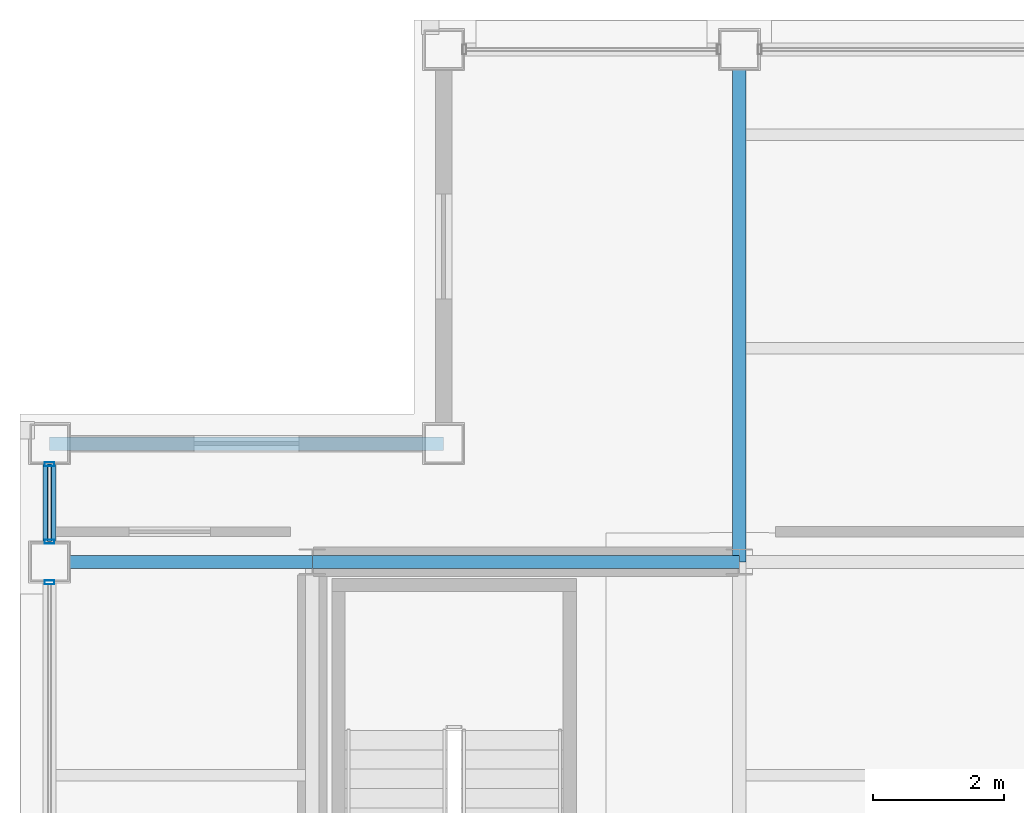
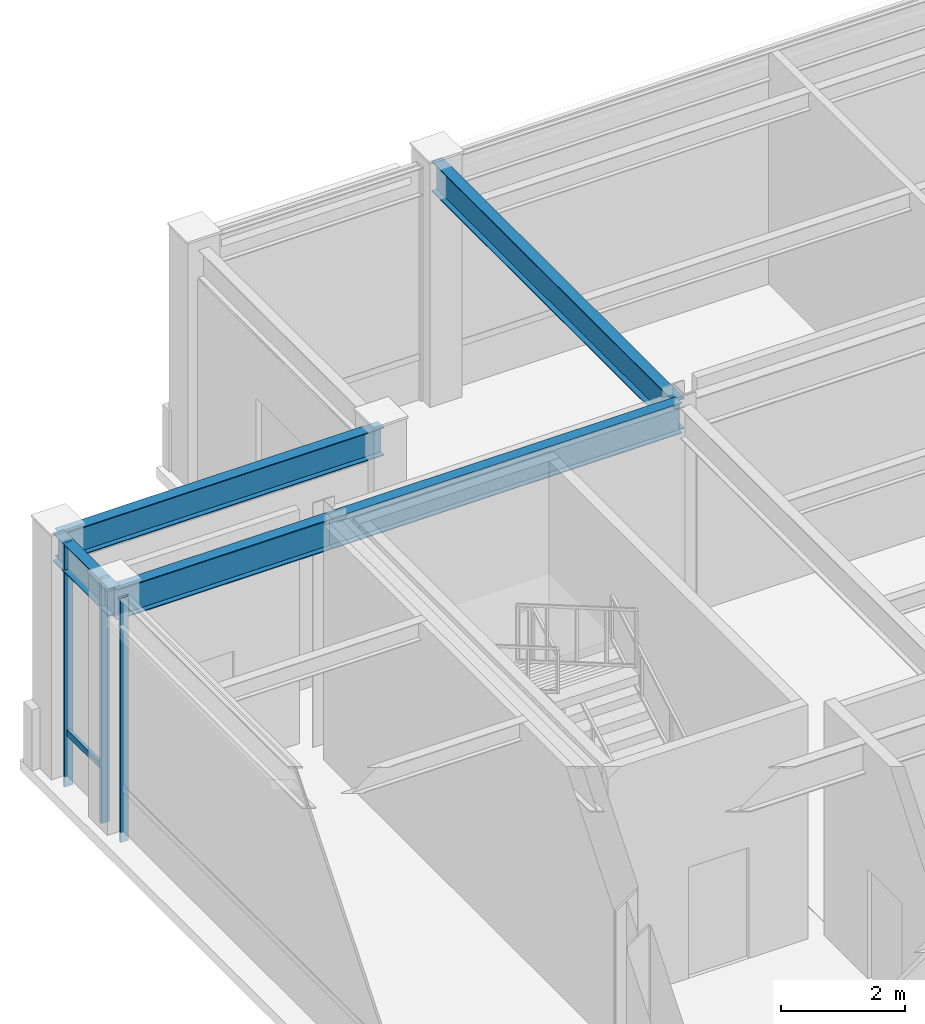
# One storey, part 8 of 21: 5 beams, 4 members, 2 elements without a shape of their own.
"""IFC4 building model written with IfcOpenShell, lengths in metres."""

from ifc_helpers import new_model, si_unit, direction, frame, origin, origin_2d, place, context, subcontext, project, spatial, hollow_rectangle, i_section, extrude, material, layer, layer_set, material_profile, profile_set, type_object, element, aggregate, save


model = new_model("IFC4")

# Units and contexts
model_context = context("Model", 3, precision=1e-05, world=origin(), true_north=direction((0.0, 1.0)))
body_context = subcontext(model_context, "Body", "Model", "MODEL_VIEW")
ifc_project = project(units=[si_unit("LENGTHUNIT", "METRE"), si_unit("AREAUNIT", "SQUARE_METRE"), si_unit("VOLUMEUNIT", "CUBIC_METRE"), si_unit("PLANEANGLEUNIT", "RADIAN"), si_unit("MASSUNIT", "GRAM", prefix="KILO")], contexts=[model_context])

# Site, building, storey
site_placement = place(None, origin())
site = spatial("IfcSite", under=ifc_project, at=site_placement, CompositionType="ELEMENT")
building_placement = place(site_placement, origin())
building = spatial("IfcBuilding", under=site, at=building_placement, Name="Brelmoor Portico Tower", CompositionType="ELEMENT")
storey_placement = place(building_placement, frame((0.0, 0.0, 284.39990234375)))
storey = spatial("IfcBuildingStorey", under=building, at=storey_placement, Name="L75", CompositionType="ELEMENT", Elevation=284.39990234375)

# Beams
ifc_material_1 = material(Name="Steel Q355B", Category="steel")
ifc_material_profile_1 = material_profile(ifc_material_1, i_section(OverallWidth=0.199951171875, OverallDepth=0.60009765625, WebThickness=0.010986328125, FlangeThickness=0.01708984375, at=origin_2d()), Name="HN 600x200x11x17")
ifc_profile_set_1 = profile_set([ifc_material_profile_1], Name="Steel Q355B")
beam_type_1 = type_object("IfcBeamType", Name="BM-PG-600", PredefinedType="BEAM", material=ifc_profile_set_1)
beam_1_placement = place(storey_placement, frame((-8.050048828125, 9.75, 4.300048828125), z_axis=(0.0, 1.0, 0.0), x_axis=(-1.0, 0.0, 0.0)))
element("IfcBeam", 1, at=beam_1_placement, inside=storey, type_object=beam_type_1, Name="L75 Primary Floor Girder PG-05", PredefinedType="BEAM", context=body_context, shape_type="SweptSolid", body=[
    extrude(i_section(OverallWidth=0.199951171875, OverallDepth=0.60009765625, WebThickness=0.010986328125, FlangeThickness=0.01708984375, at=origin_2d()), origin(), (0.0, 0.0, 1.0), 7.800048828125),
])
beam_2_placement = place(storey_placement, frame((-18.550048828125, 9.75, 4.300048828125), z_axis=(1.0, 0.0, 0.0), x_axis=(0.0, 1.0, 0.0)))
element("IfcBeam", 2, at=beam_2_placement, inside=storey, type_object=beam_type_1, Name="L75 Primary Floor Girder PG-19", PredefinedType="BEAM", context=body_context, shape_type="SweptSolid", body=[
    extrude(i_section(OverallWidth=0.199951171875, OverallDepth=0.60009765625, WebThickness=0.010986328125, FlangeThickness=0.01708984375, at=origin_2d()), origin(), (0.0, 0.0, 1.0), 4.0),
])
beam_3_placement = place(storey_placement, frame((-14.550048828125, 9.75, 4.300048828125), z_axis=(1.0, 0.0, 0.0), x_axis=(0.0, 1.0, 0.0)))
element("IfcBeam", 3, at=beam_3_placement, inside=storey, type_object=beam_type_1, Name="L75 Primary Floor Girder PG-20", PredefinedType="BEAM", context=body_context, shape_type="SweptSolid", body=[
    extrude(i_section(OverallWidth=0.199951171875, OverallDepth=0.60009765625, WebThickness=0.010986328125, FlangeThickness=0.01708984375, at=origin_2d()), origin(), (0.0, 0.0, 1.0), 6.5),
])
ifc_material_profile_2 = material_profile(ifc_material_1, i_section(OverallWidth=0.199951171875, OverallDepth=0.550048828125, WebThickness=0.010009765625, FlangeThickness=0.01611328125, at=origin_2d()), Name="HN 550x200x10x16")
ifc_profile_set_2 = profile_set([ifc_material_profile_2], Name="Steel Q355B")
beam_type_2 = type_object("IfcBeamType", Name="BM-SP-550", PredefinedType="SPANDREL", material=ifc_profile_set_2)
beam_4_placement = place(storey_placement, frame((-18.550048828125, 11.550048828125, 4.3251953125), z_axis=(1.0, 0.0, 0.0), x_axis=(0.0, 1.0, 0.0)))
element("IfcBeam", 4, at=beam_4_placement, inside=storey, type_object=beam_type_2, Name="L75 Perimeter Spandrel Beam SP-06", PredefinedType="SPANDREL", context=body_context, shape_type="SweptSolid", body=[
    extrude(i_section(OverallWidth=0.199951171875, OverallDepth=0.550048828125, WebThickness=0.010009765625, FlangeThickness=0.01611328125, at=origin_2d()), origin(), (0.0, 0.0, 1.0), 6.0),
])
beam_5_placement = place(storey_placement, frame((-18.550048828125, 9.75, 4.3251953125), z_axis=(0.0, 1.0, 0.0), x_axis=(-1.0, 0.0, 0.0)))
element("IfcBeam", 5, at=beam_5_placement, inside=storey, type_object=beam_type_2, Name="L75 Perimeter Spandrel Beam SP-13", PredefinedType="SPANDREL", context=body_context, shape_type="SweptSolid", body=[
    extrude(i_section(OverallWidth=0.199951171875, OverallDepth=0.550048828125, WebThickness=0.010009765625, FlangeThickness=0.01611328125, at=origin_2d()), origin(), (0.0, 0.0, 1.0), 1.800048828125),
])

# Curtain wall, member
ifc_material_2 = material(Name="Anodised Aluminium Alloy 6063-T6", Category="aluminium")
ifc_layer = layer(ifc_material_2, 0.179931640625)
ifc_layer_set = layer_set([ifc_layer], Name="Anodised Aluminium Alloy 6063-T6")
curtain_wall_type = type_object("IfcCurtainWallType", Name="CW-TOWER-Z4", PredefinedType="NOTDEFINED", material=ifc_layer_set)
curtain_wall_1_placement = place(storey_placement, origin())
curtain_wall_1 = element("IfcCurtainWall", 6, at=curtain_wall_1_placement, inside=storey, type_object=curtain_wall_type, Name="L75 Curtain Wall CW-L75-03-2", PredefinedType="NOTDEFINED")
ifc_material_profile_3 = material_profile(ifc_material_2, hollow_rectangle(XDim=0.06005859375, YDim=0.14990234375, WallThickness=0.00390625, at=origin_2d()), Name="ALU MULLION 60x150")
ifc_profile_set_3 = profile_set([ifc_material_profile_3], Name="Anodised Aluminium Alloy 6063-T6")
member_type_1 = type_object("IfcMemberType", Name="MB-CW-MULL-150", PredefinedType="MULLION", material=ifc_profile_set_3)
member_1_placement = place(storey_placement, frame((-18.550048828125, 9.43994140625, -0.199951171875), z_axis=(0.0, 0.0, 1.0), x_axis=(0.0, 1.0, 0.0)))
member_1 = element("IfcMember", 7, at=member_1_placement, type_object=member_type_1, Name="CW-L75-03-2 Mullion 02", PredefinedType="MULLION", context=body_context, shape_type="SweptSolid", body=[
    extrude(hollow_rectangle(XDim=0.06005859375, YDim=0.14990234375, WallThickness=0.00390625, at=origin_2d()), origin(), (0.0, 0.0, 1.0), 4.800048828125),
])
aggregate(curtain_wall_1, [member_1])

# Curtain wall, members
curtain_wall_2_placement = place(storey_placement, origin())
curtain_wall_2 = element("IfcCurtainWall", 8, at=curtain_wall_2_placement, inside=storey, type_object=curtain_wall_type, Name="L75 Curtain Wall CW-L75-03-3", PredefinedType="NOTDEFINED")
member_2_placement = place(storey_placement, frame((-18.550048828125, 10.06005859375, -0.199951171875), z_axis=(0.0, 0.0, 1.0), x_axis=(0.0, 1.0, 0.0)))
member_2 = element("IfcMember", 9, at=member_2_placement, type_object=member_type_1, Name="CW-L75-03-3 Mullion 00", PredefinedType="MULLION", context=body_context, shape_type="SweptSolid", body=[
    extrude(hollow_rectangle(XDim=0.06005859375, YDim=0.14990234375, WallThickness=0.00390625, at=origin_2d()), origin(), (0.0, 0.0, 1.0), 4.800048828125),
])
member_3_placement = place(storey_placement, frame((-18.550048828125, 11.239990234375, -0.199951171875), z_axis=(0.0, 0.0, 1.0), x_axis=(0.0, 1.0, 0.0)))
member_3 = element("IfcMember", 10, at=member_3_placement, type_object=member_type_1, Name="CW-L75-03-3 Mullion 01", PredefinedType="MULLION", context=body_context, shape_type="SweptSolid", body=[
    extrude(hollow_rectangle(XDim=0.06005859375, YDim=0.14990234375, WallThickness=0.00390625, at=origin_2d()), origin(), (0.0, 0.0, 1.0), 4.800048828125),
])
ifc_material_profile_4 = material_profile(ifc_material_2, hollow_rectangle(XDim=0.06005859375, YDim=0.125, WallThickness=0.00341796875, at=origin_2d()), Name="ALU TRANSOM 60x125")
ifc_profile_set_4 = profile_set([ifc_material_profile_4], Name="Anodised Aluminium Alloy 6063-T6")
member_type_2 = type_object("IfcMemberType", Name="MB-CW-TRAN-125", PredefinedType="USERDEFINED", material=ifc_profile_set_4)
member_4_placement = place(storey_placement, frame((-18.550048828125, 10.06005859375, 0.85009765625), z_axis=(0.0, 1.0, 0.0), x_axis=(-1.0, 0.0, 0.0)))
member_4 = element("IfcMember", 11, at=member_4_placement, type_object=member_type_2, Name="CW-L75-03-3 Transom 1-00", ObjectType="TRANSOM", PredefinedType="USERDEFINED", context=body_context, shape_type="SweptSolid", body=[
    extrude(hollow_rectangle(XDim=0.06005859375, YDim=0.125, WallThickness=0.00341796875, at=origin_2d()), origin(), (0.0, 0.0, 1.0), 1.179931640625),
])
aggregate(curtain_wall_2, [member_2, member_3, member_4])

save(model, "model.ifc")
